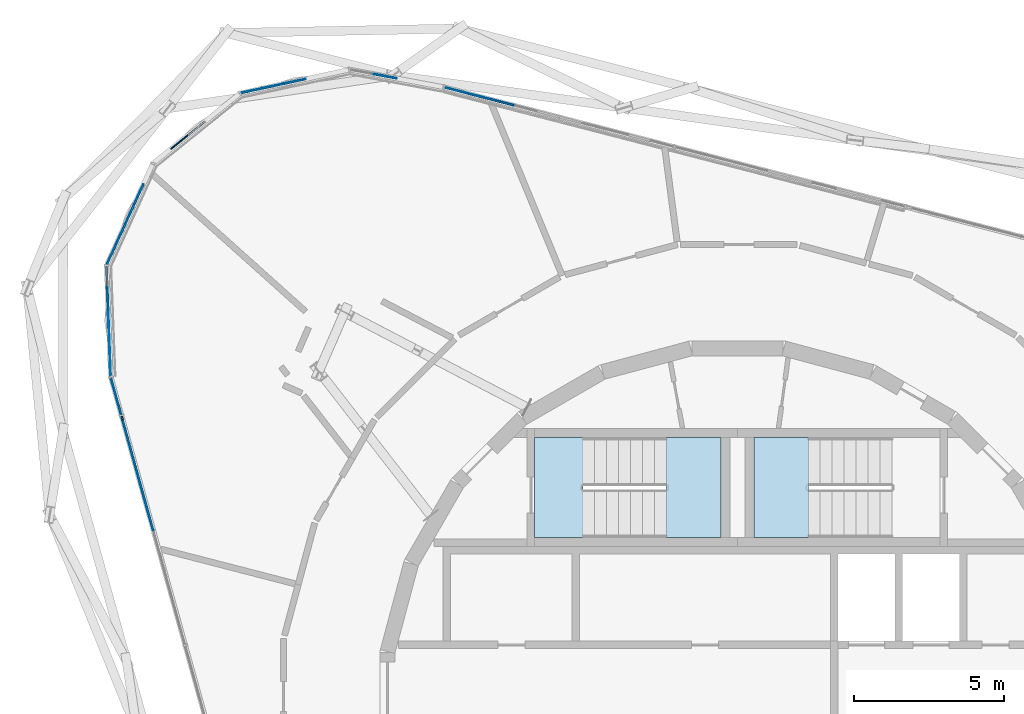
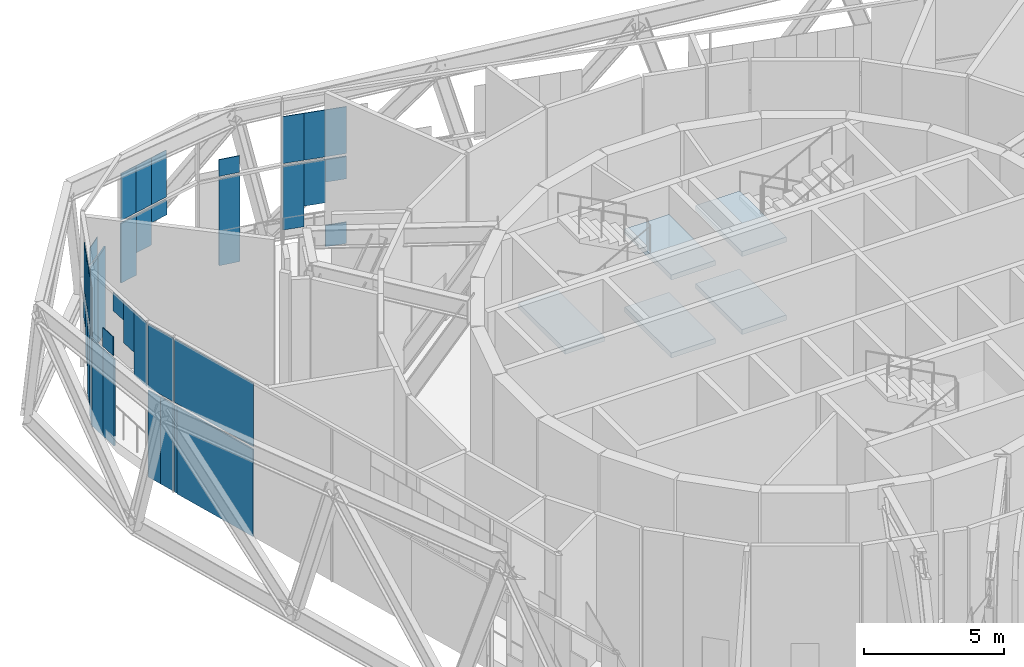
# One storey, part 12 of 23: 38 plates, 5 slabs, 5 elements without a shape of their own.
"""IFC4 building model written with IfcOpenShell, lengths in metres."""

from ifc_helpers import new_model, si_unit, direction, frame, origin, origin_2d, place, context, subcontext, project, spatial, polyline, rectangle, outline, extrude, material, layer, layer_set, type_object, element, aggregate, save


model = new_model("IFC4")

# Units and contexts
model_context = context("Model", 3, precision=1e-05, world=origin(), true_north=direction((0.0, 1.0)))
body_context = subcontext(model_context, "Body", "Model", "MODEL_VIEW")
ifc_project = project(units=[si_unit("LENGTHUNIT", "METRE"), si_unit("AREAUNIT", "SQUARE_METRE"), si_unit("VOLUMEUNIT", "CUBIC_METRE"), si_unit("PLANEANGLEUNIT", "RADIAN"), si_unit("MASSUNIT", "GRAM", prefix="KILO")], contexts=[model_context])

# Site, building, storey
site_placement = place(None, origin())
site = spatial("IfcSite", under=ifc_project, at=site_placement, CompositionType="ELEMENT")
building_placement = place(site_placement, origin())
building = spatial("IfcBuilding", under=site, at=building_placement, Name="Spindle Arch Residences", CompositionType="ELEMENT")
storey_placement = place(building_placement, frame((0.0, 0.0, 326.199951171875)))
storey = spatial("IfcBuildingStorey", under=building, at=storey_placement, Name="L84", CompositionType="ELEMENT", Elevation=326.199951171875)

# Stair, slabs
ifc_material_1 = material(Name="Concrete C50/60", Category="concrete")
stair_type = type_object("IfcStairType", Name="Exit stair 32 risers", PredefinedType="HALF_TURN_STAIR", material=ifc_material_1)
stair_1_placement = place(storey_placement, origin())
stair_1 = element("IfcStair", 1, at=stair_1_placement, inside=storey, type_object=stair_type, Name="L84 Exit stair ST1", PredefinedType="HALF_TURN_STAIR")
ifc_material_2 = material(Name="Concrete C50/60", Category="concrete")
ifc_layer_1 = layer(ifc_material_2, 0.219970703125)
ifc_layer_set_1 = layer_set([ifc_layer_1], Name="Exit stair landing 220")
slab_type = type_object("IfcSlabType", Name="Exit stair landing 220", PredefinedType="LANDING", material=ifc_layer_set_1)
slab_1_placement = place(storey_placement, frame((0.0, 0.0, 1.47998046875)))
slab_1 = element("IfcSlab", 2, at=slab_1_placement, type_object=slab_type, Name="ST1 landing 1", PredefinedType="LANDING", context=body_context, shape_type="SweptSolid", body=[
    extrude(outline(polyline([(2.3701171875, 8.669921875), (0.550048828125, 8.669921875), (0.550048828125, 5.35009765625), (2.3701171875, 5.35009765625), (2.3701171875, 8.669921875)])), origin(), (0.0, 0.0, 1.0), 0.219970703125),
])
slab_2_placement = place(storey_placement, frame((0.0, 0.0, 4.880126953125)))
slab_2 = element("IfcSlab", 3, at=slab_2_placement, type_object=slab_type, Name="ST1 landing 3", PredefinedType="LANDING", context=body_context, shape_type="SweptSolid", body=[
    extrude(outline(polyline([(2.3701171875, 8.669921875), (0.550048828125, 8.669921875), (0.550048828125, 5.35009765625), (2.3701171875, 5.35009765625), (2.3701171875, 8.669921875)])), origin(), (0.0, 0.0, 1.0), 0.219970703125),
])
aggregate(stair_1, [slab_1, slab_2])

stair_2_placement = place(storey_placement, origin())
stair_2 = element("IfcStair", 4, at=stair_2_placement, inside=storey, type_object=stair_type, Name="L84 Exit stair ST2", PredefinedType="HALF_TURN_STAIR")
slab_3_placement = place(storey_placement, frame((0.0, 0.0, 1.47998046875)))
slab_3 = element("IfcSlab", 5, at=slab_3_placement, type_object=slab_type, Name="ST2 landing 1", PredefinedType="LANDING", context=body_context, shape_type="SweptSolid", body=[
    extrude(outline(polyline([(-2.3701171875, 5.35009765625), (-0.550048828125, 5.35009765625), (-0.550048828125, 8.669921875), (-2.3701171875, 8.669921875), (-2.3701171875, 5.35009765625)])), origin(), (0.0, 0.0, 1.0), 0.219970703125),
])
slab_4_placement = place(storey_placement, frame((0.0, 0.0, 3.179931640625)))
slab_4 = element("IfcSlab", 6, at=slab_4_placement, type_object=slab_type, Name="ST2 landing 2", PredefinedType="LANDING", context=body_context, shape_type="SweptSolid", body=[
    extrude(outline(polyline([(-6.75, 5.35009765625), (-5.1298828125, 5.35009765625), (-5.1298828125, 8.669921875), (-6.75, 8.669921875), (-6.75, 5.35009765625)])), origin(), (0.0, 0.0, 1.0), 0.22021484375),
])
slab_5_placement = place(storey_placement, frame((0.0, 0.0, 4.880126953125)))
slab_5 = element("IfcSlab", 7, at=slab_5_placement, type_object=slab_type, Name="ST2 landing 3", PredefinedType="LANDING", context=body_context, shape_type="SweptSolid", body=[
    extrude(outline(polyline([(-2.3701171875, 5.35009765625), (-0.550048828125, 5.35009765625), (-0.550048828125, 8.669921875), (-2.3701171875, 8.669921875), (-2.3701171875, 5.35009765625)])), origin(), (0.0, 0.0, 1.0), 0.219970703125),
])
aggregate(stair_2, [slab_3, slab_4, slab_5])

# Curtain wall, plates
ifc_material_3 = material(Name="Aluminium bronze unitised frame with tinted glass", Category="aluminium")
ifc_layer_2 = layer(ifc_material_3, 0.159912109375)
ifc_layer_set_2 = layer_set([ifc_layer_2], Name="CW-E double-height winter garden wall")
curtain_wall_type = type_object("IfcCurtainWallType", Name="CW-E double-height winter garden wall", PredefinedType="NOTDEFINED", material=ifc_layer_set_2)
curtain_wall_1_placement = place(storey_placement, origin())
curtain_wall_1 = element("IfcCurtainWall", 8, at=curtain_wall_1_placement, inside=storey, type_object=curtain_wall_type, Name="CW-E L84 run 2", PredefinedType="NOTDEFINED")
ifc_material_4 = material(Name="Tinted laminated glass 28 mm", Category="glass")
ifc_layer_3 = layer(ifc_material_4, 0.028076171875)
ifc_layer_set_3 = layer_set([ifc_layer_3], Name="Tinted glass panel 28 mm")
plate_type_1 = type_object("IfcPlateType", Name="Tinted glass panel 28 mm", PredefinedType="CURTAIN_PANEL", material=ifc_layer_set_3)
plate_1_placement = place(storey_placement, frame((-7.83154296875, 19.83740234375, 3.460205078125), z_axis=(0.0, 0.0, 1.0), x_axis=(-0.968147640378, 0.250380004054, 0.0)))
plate_1 = element("IfcPlate", 9, at=plate_1_placement, type_object=plate_type_1, Name="CW-E panel 07Bb.2", PredefinedType="CURTAIN_PANEL", context=body_context, shape_type="SweptSolid", body=[
    extrude(rectangle(XDim=0.78759765625, YDim=0.028076171875, at=origin_2d()), origin(), (0.0, 0.0, 1.0), 2.0458984375),
])
plate_2_placement = place(storey_placement, frame((-8.593994140625, 20.034423828125, 3.460205078125), z_axis=(0.0, 0.0, 1.0), x_axis=(-0.968147640378, 0.250380004054, 0.0)))
plate_2 = element("IfcPlate", 10, at=plate_2_placement, type_object=plate_type_1, Name="CW-E panel 07Bb.3", PredefinedType="CURTAIN_PANEL", context=body_context, shape_type="SweptSolid", body=[
    extrude(rectangle(XDim=0.78759765625, YDim=0.028076171875, at=origin_2d()), origin(), (0.0, 0.0, 1.0), 2.0458984375),
])
plate_3_placement = place(storey_placement, frame((-9.356201171875, 20.231689453125, 3.460205078125), z_axis=(0.0, 0.0, 1.0), x_axis=(-0.968147640378, 0.250380004054, 0.0)))
plate_3 = element("IfcPlate", 11, at=plate_3_placement, type_object=plate_type_1, Name="CW-E panel 07Bb.4", PredefinedType="CURTAIN_PANEL", context=body_context, shape_type="SweptSolid", body=[
    extrude(rectangle(XDim=0.78759765625, YDim=0.028076171875, at=origin_2d()), origin(), (0.0, 0.0, 1.0), 2.0458984375),
])

curtain_wall_2_placement = place(storey_placement, origin())
curtain_wall_2 = element("IfcCurtainWall", 12, at=curtain_wall_2_placement, inside=storey, type_object=curtain_wall_type, Name="CW-E L84 run 3", PredefinedType="NOTDEFINED")
plate_4_placement = place(storey_placement, frame((-11.72314453125, 20.70361328125, 3.460205078125), z_axis=(0.0, 0.0, 1.0), x_axis=(-0.98295670176, 0.183837217301, 0.0)))
plate_4 = element("IfcPlate", 13, at=plate_4_placement, type_object=plate_type_1, Name="CW-E panel 00b.1", PredefinedType="CURTAIN_PANEL", context=body_context, shape_type="SweptSolid", body=[
    extrude(rectangle(XDim=0.7841796875, YDim=0.028076171875, at=origin_2d()), origin(), (0.0, 0.0, 1.0), 0.7294921875),
])
plate_5_placement = place(storey_placement, frame((-14.73046875, 20.53271484375, 3.460205078125), z_axis=(0.0, 0.0, 1.0), x_axis=(-0.977538671364, -0.210756129184, 0.0)))
plate_5 = element("IfcPlate", 14, at=plate_5_placement, type_object=plate_type_1, Name="CW-E panel 01b.1", PredefinedType="CURTAIN_PANEL", context=body_context, shape_type="SweptSolid", body=[
    extrude(rectangle(XDim=0.7333984375, YDim=0.028076171875, at=origin_2d()), origin(), (0.0, 0.0, 1.0), 2.0458984375),
])
plate_6_placement = place(storey_placement, frame((-15.447265625, 20.378173828125, 3.460205078125), z_axis=(0.0, 0.0, 1.0), x_axis=(-0.977538671364, -0.210756129184, 0.0)))
plate_6 = element("IfcPlate", 15, at=plate_6_placement, type_object=plate_type_1, Name="CW-E panel 01b.2", PredefinedType="CURTAIN_PANEL", context=body_context, shape_type="SweptSolid", body=[
    extrude(rectangle(XDim=0.7333984375, YDim=0.028076171875, at=origin_2d()), origin(), (0.0, 0.0, 1.0), 2.0458984375),
])
plate_7_placement = place(storey_placement, frame((-16.1640625, 20.2236328125, 3.460205078125), z_axis=(0.0, 0.0, 1.0), x_axis=(-0.977538671364, -0.210756129184, 0.0)))
plate_7 = element("IfcPlate", 16, at=plate_7_placement, type_object=plate_type_1, Name="CW-E panel 01b.3", PredefinedType="CURTAIN_PANEL", context=body_context, shape_type="SweptSolid", body=[
    extrude(rectangle(XDim=0.7333984375, YDim=0.028076171875, at=origin_2d()), origin(), (0.0, 0.0, 1.0), 2.0458984375),
])
plate_8_placement = place(storey_placement, frame((-18.57470703125, 18.51171875, 3.4599609375), z_axis=(0.0, 0.0, 1.0), x_axis=(-0.778973288411, -0.627057107401, 0.0)))
plate_8 = element("IfcPlate", 17, at=plate_8_placement, type_object=plate_type_1, Name="CW-E panel 02b.2", PredefinedType="CURTAIN_PANEL", context=body_context, shape_type="SweptSolid", body=[
    extrude(rectangle(XDim=0.7333984375, YDim=0.028076171875, at=origin_2d()), origin(), (0.0, 0.0, 1.0), 0.7685546875),
])
plate_9_placement = place(storey_placement, frame((-19.923583984375, 16.77490234375, 3.460205078125), z_axis=(0.0, 0.0, 1.0), x_axis=(-0.414693245896, -0.9099612694, 0.0)))
plate_9 = element("IfcPlate", 18, at=plate_9_placement, type_object=plate_type_1, Name="CW-E panel 03b.1", PredefinedType="CURTAIN_PANEL", context=body_context, shape_type="SweptSolid", body=[
    extrude(rectangle(XDim=0.7333984375, YDim=0.028076171875, at=origin_2d()), origin(), (0.0, 0.0, 1.0), 2.0458984375),
])
plate_10_placement = place(storey_placement, frame((-20.2275390625, 16.107421875, 3.460205078125), z_axis=(0.0, 0.0, 1.0), x_axis=(-0.414693245896, -0.9099612694, 0.0)))
plate_10 = element("IfcPlate", 19, at=plate_10_placement, type_object=plate_type_1, Name="CW-E panel 03b.2", PredefinedType="CURTAIN_PANEL", context=body_context, shape_type="SweptSolid", body=[
    extrude(rectangle(XDim=0.7333984375, YDim=0.028076171875, at=origin_2d()), origin(), (0.0, 0.0, 1.0), 2.0458984375),
])
plate_11_placement = place(storey_placement, frame((-20.53173828125, 15.440185546875, 3.460205078125), z_axis=(0.0, 0.0, 1.0), x_axis=(-0.414693245896, -0.9099612694, 0.0)))
plate_11 = element("IfcPlate", 20, at=plate_11_placement, type_object=plate_type_1, Name="CW-E panel 03b.3", PredefinedType="CURTAIN_PANEL", context=body_context, shape_type="SweptSolid", body=[
    extrude(rectangle(XDim=0.7333984375, YDim=0.028076171875, at=origin_2d()), origin(), (0.0, 0.0, 1.0), 2.0458984375),
])
plate_12_placement = place(storey_placement, frame((-20.8359375, 14.77294921875, 3.460205078125), z_axis=(0.0, 0.0, 1.0), x_axis=(-0.414693245896, -0.9099612694, 0.0)))
plate_12 = element("IfcPlate", 21, at=plate_12_placement, type_object=plate_type_1, Name="CW-E panel 03b.4", PredefinedType="CURTAIN_PANEL", context=body_context, shape_type="SweptSolid", body=[
    extrude(rectangle(XDim=0.7333984375, YDim=0.028076171875, at=origin_2d()), origin(), (0.0, 0.0, 1.0), 2.0458984375),
])
plate_13_placement = place(storey_placement, frame((-20.959716796875, 13.3369140625, 3.4599609375), z_axis=(0.0, 0.0, 1.0), x_axis=(0.037806455536, -0.999285080405, 0.0)))
plate_13 = element("IfcPlate", 22, at=plate_13_placement, type_object=plate_type_1, Name="CW-E panel 04b.2", PredefinedType="CURTAIN_PANEL", context=body_context, shape_type="SweptSolid", body=[
    extrude(rectangle(XDim=0.697265625, YDim=0.028076171875, at=origin_2d()), origin(), (0.0, 0.0, 1.0), 0.82275390625),
])
plate_14_placement = place(storey_placement, frame((-20.933349609375, 12.64013671875, 5.421875), z_axis=(0.0, 0.0, 1.0), x_axis=(0.037806455536, -0.999285080405, 0.0)))
plate_14 = element("IfcPlate", 23, at=plate_14_placement, type_object=plate_type_1, Name="CW-E panel 04b.3", PredefinedType="CURTAIN_PANEL", context=body_context, shape_type="SweptSolid", body=[
    extrude(rectangle(XDim=0.697265625, YDim=0.028076171875, at=origin_2d()), origin(), (0.0, 0.0, 1.0), 0.80810546875),
])
plate_15_placement = place(storey_placement, frame((-20.906982421875, 11.943359375, 4.44091796875), z_axis=(0.0, 0.0, 1.0), x_axis=(0.037806455536, -0.999285080405, 0.0)))
plate_15 = element("IfcPlate", 24, at=plate_15_placement, type_object=plate_type_1, Name="CW-E panel 04b.4", PredefinedType="CURTAIN_PANEL", context=body_context, shape_type="SweptSolid", body=[
    extrude(rectangle(XDim=0.697265625, YDim=0.028076171875, at=origin_2d()), origin(), (0.0, 0.0, 1.0), 1.7890625),
])
plate_16_placement = place(storey_placement, frame((-20.877197265625, 11.15625, 3.4599609375), z_axis=(0.0, 0.0, 1.0), x_axis=(0.037806455536, -0.999285080405, 0.0)))
plate_16 = element("IfcPlate", 25, at=plate_16_placement, type_object=plate_type_1, Name="CW-E panel 04b.5", PredefinedType="CURTAIN_PANEL", context=body_context, shape_type="SweptSolid", body=[
    extrude(rectangle(XDim=0.877685546875, YDim=0.028076171875, at=origin_2d()), origin(), (0.0, 0.0, 1.0), 2.77001953125),
])
plate_17_placement = place(storey_placement, frame((-20.682373046875, 10.049072265625, 3.4599609375), z_axis=(0.0, 0.0, 1.0), x_axis=(0.267238376078, -0.963630453209, 0.0)))
plate_17 = element("IfcPlate", 26, at=plate_17_placement, type_object=plate_type_1, Name="CW-E unit 05b", PredefinedType="CURTAIN_PANEL", context=body_context, shape_type="SweptSolid", body=[
    extrude(rectangle(XDim=1.265869140625, YDim=0.028076171875, at=origin_2d()), origin(), (0.0, 0.0, 1.0), 2.77001953125),
])

# Curtain wall, plate
curtain_wall_3_placement = place(storey_placement, origin())
curtain_wall_3 = element("IfcCurtainWall", 27, at=curtain_wall_3_placement, inside=storey, type_object=curtain_wall_type, Name="CW-E L84 run 4", PredefinedType="NOTDEFINED")
plate_18_placement = place(storey_placement, frame((-19.970947265625, 7.484130859375, 3.4599609375), z_axis=(0.0, 0.0, 1.0), x_axis=(0.267238376078, -0.963630453209, 0.0)))
plate_18 = element("IfcPlate", 28, at=plate_18_placement, type_object=plate_type_1, Name="CW-E unit 11Ab", PredefinedType="CURTAIN_PANEL", context=body_context, shape_type="SweptSolid", body=[
    extrude(rectangle(XDim=3.9375, YDim=0.028076171875, at=origin_2d()), origin(), (0.0, 0.0, 1.0), 2.77001953125),
])

# Plate
ifc_material_5 = material(Name="Tinted double glazing over aluminium faced non-combustible spandrel zone (K0)", Category="aluminium")
ifc_layer_4 = layer(ifc_material_5, 0.06005859375)
ifc_layer_set_4 = layer_set([ifc_layer_4], Name="Unitised glass panel with E 60 spandrel zone")
plate_type_2 = type_object("IfcPlateType", Name="Unitised glass panel with E 60 spandrel zone", PredefinedType="CURTAIN_PANEL", material=ifc_layer_set_4)
plate_19_placement = place(storey_placement, frame((-7.83154296875, 19.83740234375, -0.449951171875), z_axis=(0.0, 0.0, 1.0), x_axis=(-0.968147640378, 0.250380004054, 0.0)))
plate_19 = element("IfcPlate", 29, at=plate_19_placement, type_object=plate_type_2, Name="CW-E panel 07Ba.4", PredefinedType="CURTAIN_PANEL", context=body_context, shape_type="SweptSolid", body=[
    extrude(rectangle(XDim=0.78759765625, YDim=0.06005859375, at=origin_2d()), origin(), (0.0, 0.0, 1.0), 0.919921875),
])

plate_20_placement = place(storey_placement, frame((-7.83154296875, 19.83740234375, 2.366455078125), z_axis=(0.0, 0.0, 1.0), x_axis=(-0.968147640378, 0.250380004054, 0.0)))
plate_20 = element("IfcPlate", 30, at=plate_20_placement, type_object=plate_type_2, Name="CW-E panel 07Ba.5", PredefinedType="CURTAIN_PANEL", context=body_context, shape_type="SweptSolid", body=[
    extrude(rectangle(XDim=0.78759765625, YDim=0.06005859375, at=origin_2d()), origin(), (0.0, 0.0, 1.0), 0.9736328125),
])

plate_21_placement = place(storey_placement, frame((-8.593994140625, 20.034423828125, 1.469970703125), z_axis=(0.0, 0.0, 1.0), x_axis=(-0.968147640378, 0.250380004054, 0.0)))
plate_21 = element("IfcPlate", 31, at=plate_21_placement, type_object=plate_type_2, Name="CW-E panel 07Ba.6", PredefinedType="CURTAIN_PANEL", context=body_context, shape_type="SweptSolid", body=[
    extrude(rectangle(XDim=0.78759765625, YDim=0.06005859375, at=origin_2d()), origin(), (0.0, 0.0, 1.0), 1.8701171875),
])

plate_22_placement = place(storey_placement, frame((-9.356201171875, 20.231689453125, 0.573486328125), z_axis=(0.0, 0.0, 1.0), x_axis=(-0.968147640378, 0.250380004054, 0.0)))
plate_22 = element("IfcPlate", 32, at=plate_22_placement, type_object=plate_type_2, Name="CW-E panel 07Ba.7", PredefinedType="CURTAIN_PANEL", context=body_context, shape_type="SweptSolid", body=[
    extrude(rectangle(XDim=0.78759765625, YDim=0.06005859375, at=origin_2d()), origin(), (0.0, 0.0, 1.0), 2.7666015625),
])

aggregate(curtain_wall_1, [plate_19, plate_20, plate_21, plate_22, plate_1, plate_2, plate_3])

plate_23_placement = place(storey_placement, frame((-11.72314453125, 20.70361328125, -0.419921875), z_axis=(0.0, 0.0, 1.0), x_axis=(-0.98295670176, 0.183837217301, 0.0)))
plate_23 = element("IfcPlate", 33, at=plate_23_placement, type_object=plate_type_2, Name="CW-E panel 00a.1", PredefinedType="CURTAIN_PANEL", context=body_context, shape_type="SweptSolid", body=[
    extrude(rectangle(XDim=0.7841796875, YDim=0.06005859375, at=origin_2d()), origin(), (0.0, 0.0, 1.0), 3.760009765625),
])

plate_24_placement = place(storey_placement, frame((-14.73046875, 20.53271484375, 2.68896484375), z_axis=(0.0, 0.0, 1.0), x_axis=(-0.977538671364, -0.210756129184, 0.0)))
plate_24 = element("IfcPlate", 34, at=plate_24_placement, type_object=plate_type_2, Name="CW-E panel 01a.1", PredefinedType="CURTAIN_PANEL", context=body_context, shape_type="SweptSolid", body=[
    extrude(rectangle(XDim=0.7333984375, YDim=0.06005859375, at=origin_2d()), origin(), (0.0, 0.0, 1.0), 0.651123046875),
])

plate_25_placement = place(storey_placement, frame((-15.447265625, 20.378173828125, 1.7177734375), z_axis=(0.0, 0.0, 1.0), x_axis=(-0.977538671364, -0.210756129184, 0.0)))
plate_25 = element("IfcPlate", 35, at=plate_25_placement, type_object=plate_type_2, Name="CW-E panel 01a.2", PredefinedType="CURTAIN_PANEL", context=body_context, shape_type="SweptSolid", body=[
    extrude(rectangle(XDim=0.7333984375, YDim=0.06005859375, at=origin_2d()), origin(), (0.0, 0.0, 1.0), 1.622314453125),
])

plate_26_placement = place(storey_placement, frame((-16.1640625, 20.2236328125, 0.746337890625), z_axis=(0.0, 0.0, 1.0), x_axis=(-0.977538671364, -0.210756129184, 0.0)))
plate_26 = element("IfcPlate", 36, at=plate_26_placement, type_object=plate_type_2, Name="CW-E panel 01a.3", PredefinedType="CURTAIN_PANEL", context=body_context, shape_type="SweptSolid", body=[
    extrude(rectangle(XDim=0.7333984375, YDim=0.06005859375, at=origin_2d()), origin(), (0.0, 0.0, 1.0), 2.59375),
])

plate_27_placement = place(storey_placement, frame((-18.00341796875, 18.9716796875, -0.419921875), z_axis=(0.0, 0.0, 1.0), x_axis=(-0.778973288411, -0.627057107401, 0.0)))
plate_27 = element("IfcPlate", 37, at=plate_27_placement, type_object=plate_type_2, Name="CW-E panel 02a.1", PredefinedType="CURTAIN_PANEL", context=body_context, shape_type="SweptSolid", body=[
    extrude(rectangle(XDim=0.7333984375, YDim=0.06005859375, at=origin_2d()), origin(), (0.0, 0.0, 1.0), 3.760009765625),
])

plate_28_placement = place(storey_placement, frame((-18.57470703125, 18.51171875, -0.419921875), z_axis=(0.0, 0.0, 1.0), x_axis=(-0.778973288411, -0.627057107401, 0.0)))
plate_28 = element("IfcPlate", 38, at=plate_28_placement, type_object=plate_type_2, Name="CW-E panel 02a.2", PredefinedType="CURTAIN_PANEL", context=body_context, shape_type="SweptSolid", body=[
    extrude(rectangle(XDim=0.7333984375, YDim=0.06005859375, at=origin_2d()), origin(), (0.0, 0.0, 1.0), 3.760009765625),
])

plate_29_placement = place(storey_placement, frame((-19.923583984375, 16.77490234375, 2.289794921875), z_axis=(0.0, 0.0, 1.0), x_axis=(-0.414693245896, -0.9099612694, 0.0)))
plate_29 = element("IfcPlate", 39, at=plate_29_placement, type_object=plate_type_2, Name="CW-E panel 03a.1", PredefinedType="CURTAIN_PANEL", context=body_context, shape_type="SweptSolid", body=[
    extrude(rectangle(XDim=0.7333984375, YDim=0.06005859375, at=origin_2d()), origin(), (0.0, 0.0, 1.0), 1.05029296875),
])

plate_30_placement = place(storey_placement, frame((-20.2275390625, 16.107421875, 1.093505859375), z_axis=(0.0, 0.0, 1.0), x_axis=(-0.414693245896, -0.9099612694, 0.0)))
plate_30 = element("IfcPlate", 40, at=plate_30_placement, type_object=plate_type_2, Name="CW-E panel 03a.2", PredefinedType="CURTAIN_PANEL", context=body_context, shape_type="SweptSolid", body=[
    extrude(rectangle(XDim=0.7333984375, YDim=0.06005859375, at=origin_2d()), origin(), (0.0, 0.0, 1.0), 2.24658203125),
])

plate_31_placement = place(storey_placement, frame((-20.53173828125, 15.440185546875, -0.102783203125), z_axis=(0.0, 0.0, 1.0), x_axis=(-0.414693245896, -0.9099612694, 0.0)))
plate_31 = element("IfcPlate", 41, at=plate_31_placement, type_object=plate_type_2, Name="CW-E panel 03a.3", PredefinedType="CURTAIN_PANEL", context=body_context, shape_type="SweptSolid", body=[
    extrude(rectangle(XDim=0.7333984375, YDim=0.06005859375, at=origin_2d()), origin(), (0.0, 0.0, 1.0), 3.44287109375),
])

plate_32_placement = place(storey_placement, frame((-20.8359375, 14.77294921875, -0.419921875), z_axis=(0.0, 0.0, 1.0), x_axis=(-0.414693245896, -0.9099612694, 0.0)))
plate_32 = element("IfcPlate", 42, at=plate_32_placement, type_object=plate_type_2, Name="CW-E panel 03a.4", PredefinedType="CURTAIN_PANEL", context=body_context, shape_type="SweptSolid", body=[
    extrude(rectangle(XDim=0.7333984375, YDim=0.06005859375, at=origin_2d()), origin(), (0.0, 0.0, 1.0), 3.760009765625),
])

plate_33_placement = place(storey_placement, frame((-20.9853515625, 14.015625, -0.419921875), z_axis=(0.0, 0.0, 1.0), x_axis=(0.037806455536, -0.999285080405, 0.0)))
plate_33 = element("IfcPlate", 43, at=plate_33_placement, type_object=plate_type_2, Name="CW-E panel 04a.1", PredefinedType="CURTAIN_PANEL", context=body_context, shape_type="SweptSolid", body=[
    extrude(rectangle(XDim=0.7333984375, YDim=0.06005859375, at=origin_2d()), origin(), (0.0, 0.0, 1.0), 3.760009765625),
])

plate_34_placement = place(storey_placement, frame((-20.957763671875, 13.28271484375, -0.419921875), z_axis=(0.0, 0.0, 1.0), x_axis=(0.037806455536, -0.999285080405, 0.0)))
plate_34 = element("IfcPlate", 44, at=plate_34_placement, type_object=plate_type_2, Name="CW-E panel 04a.2", PredefinedType="CURTAIN_PANEL", context=body_context, shape_type="SweptSolid", body=[
    extrude(rectangle(XDim=0.7333984375, YDim=0.06005859375, at=origin_2d()), origin(), (0.0, 0.0, 1.0), 3.760009765625),
])

plate_35_placement = place(storey_placement, frame((-20.766845703125, 10.35400390625, -0.419921875), z_axis=(0.0, 0.0, 1.0), x_axis=(0.267238376078, -0.963630453209, 0.0)))
plate_35 = element("IfcPlate", 45, at=plate_35_placement, type_object=plate_type_2, Name="CW-E panel 05a.1", PredefinedType="CURTAIN_PANEL", context=body_context, shape_type="SweptSolid", body=[
    extrude(rectangle(XDim=0.633056640625, YDim=0.06005859375, at=origin_2d()), origin(), (0.0, 0.0, 1.0), 3.760009765625),
])

plate_36_placement = place(storey_placement, frame((-20.59765625, 9.744140625, -0.419921875), z_axis=(0.0, 0.0, 1.0), x_axis=(0.267238376078, -0.963630453209, 0.0)))
plate_36 = element("IfcPlate", 46, at=plate_36_placement, type_object=plate_type_2, Name="CW-E panel 05a.2", PredefinedType="CURTAIN_PANEL", context=body_context, shape_type="SweptSolid", body=[
    extrude(rectangle(XDim=0.633056640625, YDim=0.06005859375, at=origin_2d()), origin(), (0.0, 0.0, 1.0), 3.760009765625),
])

aggregate(curtain_wall_2, [plate_23, plate_4, plate_24, plate_25, plate_26, plate_5, plate_6, plate_7, plate_27, plate_28, plate_8, plate_29, plate_30, plate_31, plate_32, plate_9, plate_10, plate_11, plate_12, plate_33, plate_34, plate_13, plate_14, plate_15, plate_16, plate_35, plate_36, plate_17])

plate_37_placement = place(storey_placement, frame((-20.47998046875, 9.319580078125, -0.42138671875), z_axis=(0.0, 0.0, 1.0), x_axis=(0.267238376078, -0.963630453209, 0.0)))
plate_37 = element("IfcPlate", 47, at=plate_37_placement, type_object=plate_type_2, Name="CW-E panel 11Aa.1", PredefinedType="CURTAIN_PANEL", context=body_context, shape_type="SweptSolid", body=[
    extrude(rectangle(XDim=0.128173828125, YDim=0.06005859375, at=origin_2d()), origin(), (0.0, 0.0, 1.0), 3.761474609375),
])

plate_38_placement = place(storey_placement, frame((-19.953857421875, 7.42236328125, -0.449951171875), z_axis=(0.0, 0.0, 1.0), x_axis=(0.267238376078, -0.963630453209, 0.0)))
plate_38 = element("IfcPlate", 48, at=plate_38_placement, type_object=plate_type_2, Name="CW-E panel 11Aa.2", PredefinedType="CURTAIN_PANEL", context=body_context, shape_type="SweptSolid", body=[
    extrude(rectangle(XDim=3.809326171875, YDim=0.06005859375, at=origin_2d()), origin(), (0.0, 0.0, 1.0), 3.7900390625),
])

aggregate(curtain_wall_3, [plate_37, plate_38, plate_18])

save(model, "model.ifc")
